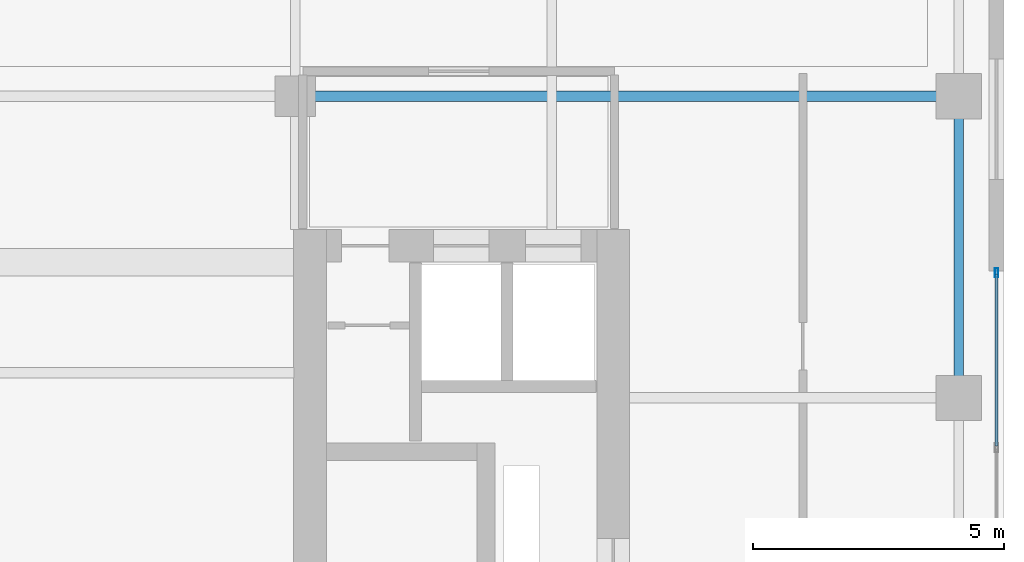
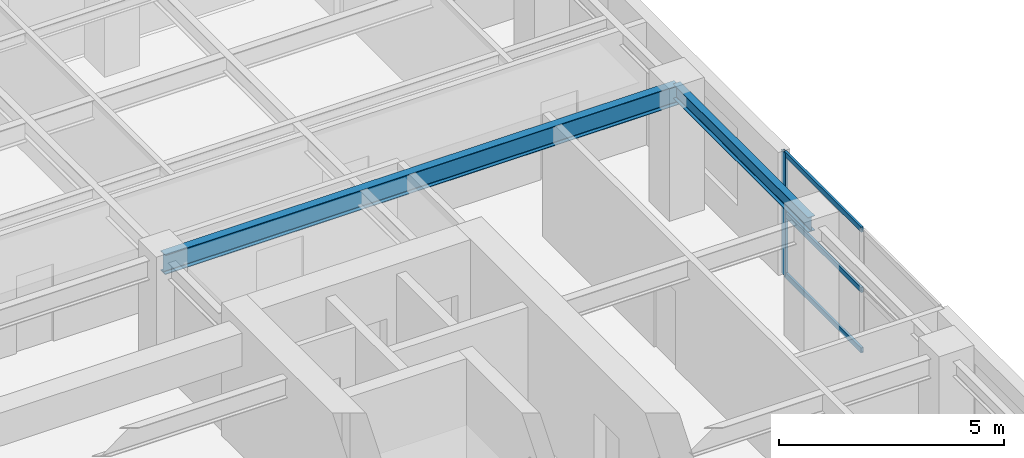
# One storey, part 7 of 15: 4 members, 2 beams, 1 element without a shape of its own.
"""IFC4 building model written with IfcOpenShell, lengths in metres."""

from ifc_helpers import new_model, si_unit, direction, frame, origin, origin_2d, place, context, subcontext, project, spatial, hollow_rectangle, i_section, extrude, source, transform, mapped, material, layer, layer_set, material_profile, profile_set, type_object, element, aggregate, save


model = new_model("IFC4")

# Units and contexts
model_context = context("Model", 3, precision=1e-05, world=origin(), true_north=direction((0.0, 1.0)))
body_context = subcontext(model_context, "Body", "Model", "MODEL_VIEW")
ifc_project = project(units=[si_unit("LENGTHUNIT", "METRE"), si_unit("AREAUNIT", "SQUARE_METRE"), si_unit("VOLUMEUNIT", "CUBIC_METRE"), si_unit("PLANEANGLEUNIT", "RADIAN"), si_unit("MASSUNIT", "GRAM", prefix="KILO")], contexts=[model_context])

# Site, building, storey
site_placement = place(None, origin())
site = spatial("IfcSite", under=ifc_project, at=site_placement, CompositionType="ELEMENT")
building_placement = place(site_placement, origin())
building = spatial("IfcBuilding", under=site, at=building_placement, Name="Khoralis Quay Care Tower", CompositionType="ELEMENT")
storey_placement = place(building_placement, frame((0.0, 0.0, 162.89990234375)))
storey = spatial("IfcBuildingStorey", under=building, at=storey_placement, Name="L42", CompositionType="ELEMENT", Elevation=162.89990234375)

# Beams
ifc_material_1 = material(Name="Steel S355", Category="steel")
ifc_material_profile_1 = material_profile(ifc_material_1, i_section(OverallWidth=0.179931640625, OverallDepth=0.39990234375, WebThickness=0.008544921875, FlangeThickness=0.013427734375, FilletRadius=0.02099609375, at=origin_2d()), Name="Steel S355")
ifc_profile_set_1 = profile_set([ifc_material_profile_1], Name="Steel S355")
beam_type_1 = type_object("IfcBeamType", Name="BM-IPE400", PredefinedType="SPANDREL", material=ifc_profile_set_1)
shared_shape_1 = source(origin(), body_context, "Body", "SweptSolid", [
    extrude(i_section(OverallWidth=0.179931640625, OverallDepth=0.39990234375, WebThickness=0.008544921875, FlangeThickness=0.013427734375, FilletRadius=0.02099609375, at=origin_2d()), origin(), (0.0, 0.0, 1.0), 6.0),
])
beam_1_placement = place(storey_placement, frame((44.10009765625, 24.0, 3.14013671875), z_axis=(0.0, 1.0, 0.0), x_axis=(-1.0, 0.0, 0.0)))
element("IfcBeam", 1, at=beam_1_placement, inside=storey, type_object=beam_type_1, Name="BM-TSP-L42-17", PredefinedType="SPANDREL", context=body_context, shape_type="MappedRepresentation", body=[
    mapped(shared_shape_1, transform((0.0, 0.0, 0.0), scale=1.0)),
])
ifc_material_profile_2 = material_profile(ifc_material_1, i_section(OverallWidth=0.208984375, OverallDepth=0.532958984375, WebThickness=0.01025390625, FlangeThickness=0.015625, FilletRadius=0.01611328125, at=origin_2d()), Name="Steel S355")
ifc_profile_set_2 = profile_set([ifc_material_profile_2], Name="Steel S355")
beam_type_2 = type_object("IfcBeamType", Name="BM-W530X92", PredefinedType="BEAM", material=ifc_profile_set_2)
shared_shape_2 = source(origin(), body_context, "Body", "SweptSolid", [
    extrude(i_section(OverallWidth=0.208984375, OverallDepth=0.532958984375, WebThickness=0.01025390625, FlangeThickness=0.015625, FilletRadius=0.01611328125, at=origin_2d()), origin(), (0.0, 0.0, 1.0), 13.2001953125),
])
beam_2_placement = place(storey_placement, frame((30.89990234375, 30.0, 3.073486328125), z_axis=(1.0, 0.0, 0.0), x_axis=(0.0, 1.0, 0.0)))
element("IfcBeam", 2, at=beam_2_placement, inside=storey, type_object=beam_type_2, Name="BM-TGXE-L42-300", PredefinedType="BEAM", context=body_context, shape_type="MappedRepresentation", body=[
    mapped(shared_shape_2, transform((0.0, 0.0, 0.0), scale=1.0)),
])

# Curtain wall, members
ifc_material_2 = material(Name="Pale anodised aluminium", Category="aluminium")
ifc_layer = layer(ifc_material_2, 0.159912109375)
ifc_layer_set = layer_set([ifc_layer], Name="Pale anodised aluminium")
curtain_wall_type = type_object("IfcCurtainWallType", Name="CW-SYS-Z3", PredefinedType="NOTDEFINED", material=ifc_layer_set)
curtain_wall_placement = place(storey_placement, origin())
curtain_wall = element("IfcCurtainWall", 3, at=curtain_wall_placement, inside=storey, type_object=curtain_wall_type, Name="L42 Unitised Curtain Wall CW-L42-P1-E5", PredefinedType="NOTDEFINED")
ifc_material_profile_3 = material_profile(ifc_material_2, hollow_rectangle(XDim=0.06494140625, YDim=0.179931640625, WallThickness=0.00390625, at=origin_2d()), Name="Pale anodised aluminium")
ifc_profile_set_3 = profile_set([ifc_material_profile_3], Name="Pale anodised aluminium")
member_type_1 = type_object("IfcMemberType", Name="CW-MUL-180", PredefinedType="MULLION", material=ifc_profile_set_3)
shared_shape_3 = source(origin(), body_context, "Body", "SweptSolid", [
    extrude(hollow_rectangle(XDim=0.06494140625, YDim=0.179931640625, WallThickness=0.00390625, at=origin_2d()), origin(), (0.0, 0.0, 1.0), 3.340087890625),
])
member_1_placement = place(storey_placement, frame((44.85009765625, 26.489990234375, 0.0), z_axis=(0.0, 0.0, 1.0), x_axis=(-1.0, 0.0, 0.0)))
member_1 = element("IfcMember", 4, at=member_1_placement, type_object=member_type_1, Name="CW3 mullion 3", PredefinedType="MULLION", context=body_context, shape_type="MappedRepresentation", body=[
    mapped(shared_shape_3, transform((0.0, 0.0, 0.0), scale=1.0)),
])
ifc_material_profile_4 = material_profile(ifc_material_2, hollow_rectangle(XDim=0.06005859375, YDim=0.139892578125, WallThickness=0.00390625, at=origin_2d()), Name="Pale anodised aluminium")
ifc_profile_set_4 = profile_set([ifc_material_profile_4], Name="Pale anodised aluminium")
member_type_2 = type_object("IfcMemberType", Name="CW-TRN-140", PredefinedType="USERDEFINED", material=ifc_profile_set_4)
shared_shape_4 = source(origin(), body_context, "Body", "SweptSolid", [
    extrude(hollow_rectangle(XDim=0.06005859375, YDim=0.139892578125, WallThickness=0.00390625, at=origin_2d()), origin(), (0.0, 0.0, 1.0), 3.419921875),
])
member_2_placement = place(storey_placement, frame((44.85009765625, 23.0400390625, 0.030029296875), z_axis=(0.0, 1.0, 0.0), x_axis=(-1.0, 0.0, 0.0)))
member_2 = element("IfcMember", 5, at=member_2_placement, type_object=member_type_2, Name="CW3 transom 2.1", ObjectType="TRANSOM", PredefinedType="USERDEFINED", context=body_context, shape_type="MappedRepresentation", body=[
    mapped(shared_shape_4, transform((0.0, 0.0, 0.0), scale=1.0)),
])
member_3_placement = place(storey_placement, frame((44.85009765625, 23.0400390625, 1.670166015625), z_axis=(0.0, 1.0, 0.0), x_axis=(-1.0, 0.0, 0.0)))
member_3 = element("IfcMember", 6, at=member_3_placement, type_object=member_type_2, Name="CW3 transom 2.2", ObjectType="TRANSOM", PredefinedType="USERDEFINED", context=body_context, shape_type="MappedRepresentation", body=[
    mapped(shared_shape_4, transform((0.0, 0.0, 0.0), scale=1.0)),
])
member_4_placement = place(storey_placement, frame((44.85009765625, 23.0400390625, 3.31005859375), z_axis=(0.0, 1.0, 0.0), x_axis=(-1.0, 0.0, 0.0)))
member_4 = element("IfcMember", 7, at=member_4_placement, type_object=member_type_2, Name="CW3 transom 2.3", ObjectType="TRANSOM", PredefinedType="USERDEFINED", context=body_context, shape_type="MappedRepresentation", body=[
    mapped(shared_shape_4, transform((0.0, 0.0, 0.0), scale=1.0)),
])
aggregate(curtain_wall, [member_1, member_2, member_3, member_4])

save(model, "model.ifc")
